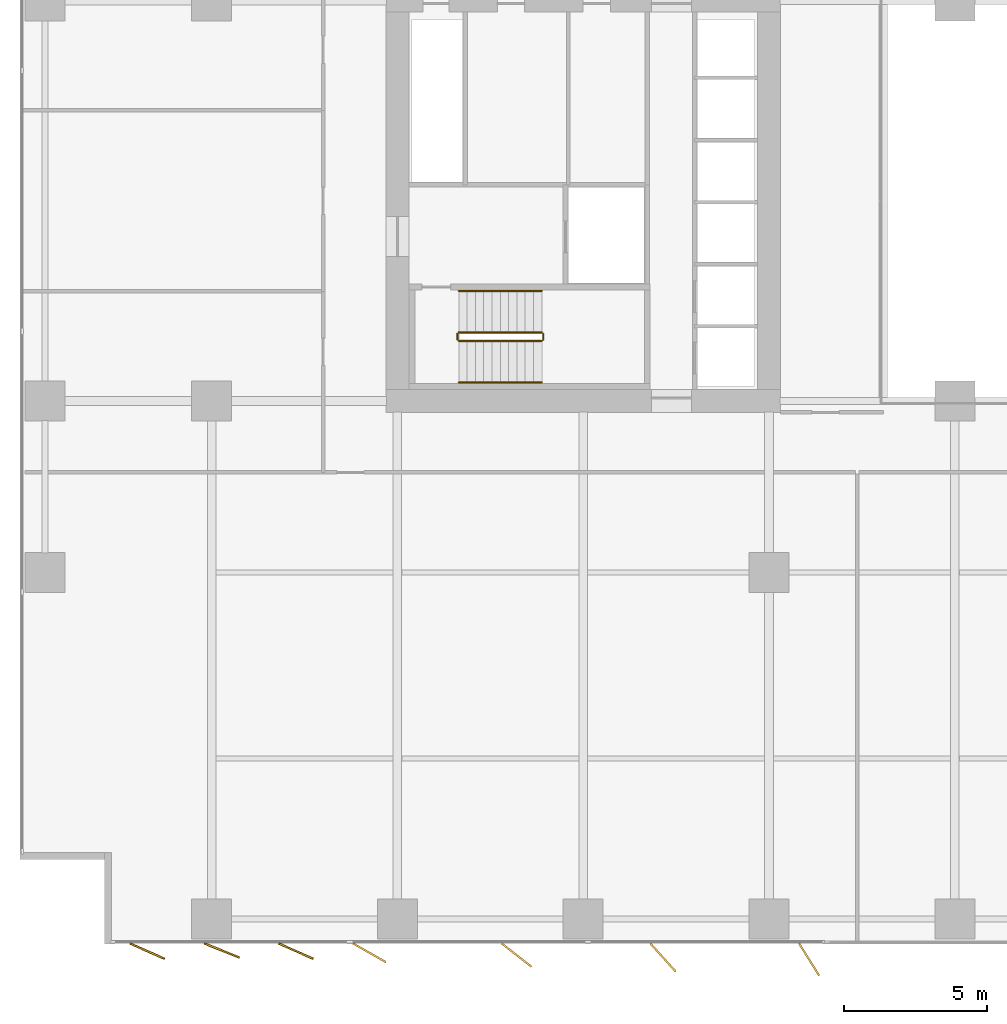
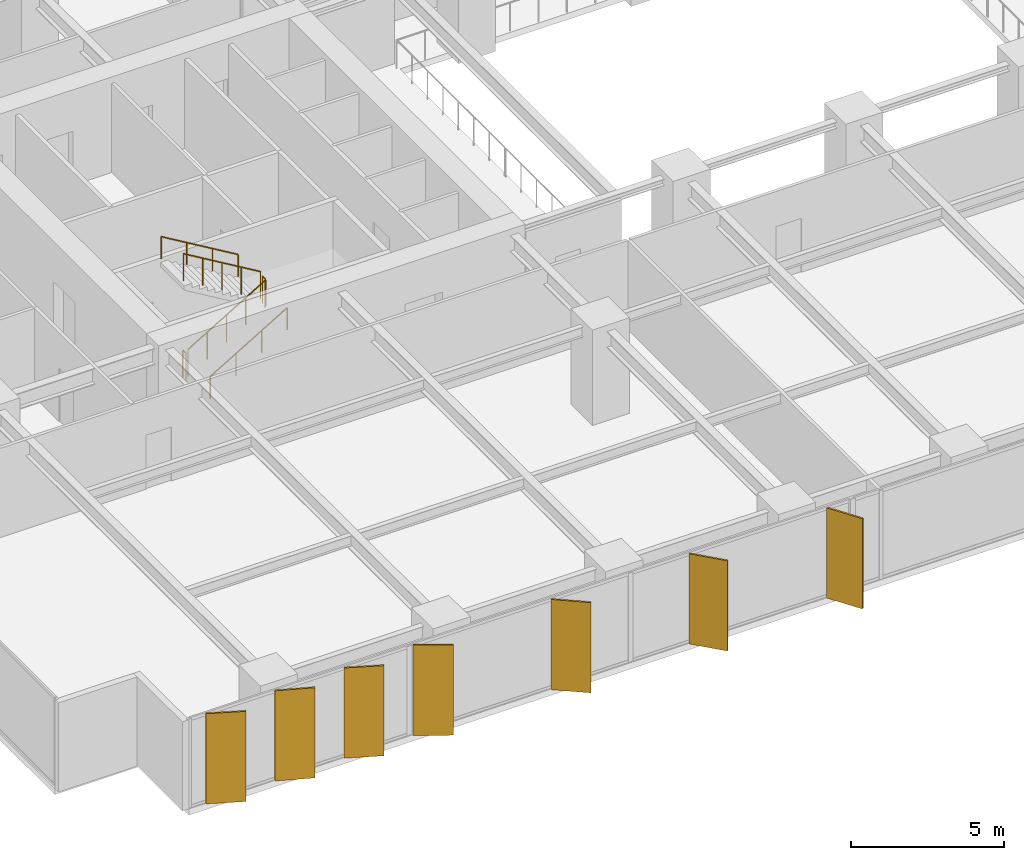
# One storey, part 17 of 20: 7 shading devices, 6 railings.
"""IFC4 building model written with IfcOpenShell, lengths in metres."""

import ifcopenshell
import ifcopenshell.guid

model = None  # the IFC model being written
_history = None  # IfcOwnerHistory: only IFC2X3 demands one
_inside = {}  # id of a spatial element -> (the spatial element, [elements in it])
_under = {}  # id of a project, library or spatial element -> (it, [spatial elements below it])
_declared = {}  # id of a project -> (the project, [libraries it declares])
_typed = {}  # id of a type object -> (the type object, [elements of that type])
_made_of = {}  # id of a material, layer set ... -> (it, [elements and type objects made of it])


def new_model(schema):
    """Start an empty IFC model of exactly this schema.

    Asked for "IFC4X3", IfcOpenShell would pick the latest addendum, in which some entities
    have other attributes; the version numbers below select the first issue.
    IFC2X3 requires an IfcOwnerHistory on every rooted entity: one is made here for all.
    """
    global model, _history
    if schema == "IFC4X3":
        model = ifcopenshell.file(schema_version=(4, 3, 0, 0))
    else:
        model = ifcopenshell.file(schema=schema)
    _inside.clear()
    _under.clear()
    _declared.clear()
    _typed.clear()
    _made_of.clear()
    _history = None
    if model.schema == "IFC2X3":
        org = make("IfcOrganization", Name="unknown")
        user = make(
            "IfcPersonAndOrganization",
            ThePerson=make("IfcPerson", FamilyName="unknown"),
            TheOrganization=org,
        )
        app = make(
            "IfcApplication",
            ApplicationDeveloper=org,
            Version="unknown",
            ApplicationFullName="unknown",
            ApplicationIdentifier="unknown",
        )
        _history = make(
            "IfcOwnerHistory",
            OwningUser=user,
            OwningApplication=app,
            ChangeAction="ADDED",
            CreationDate=0,
        )
    return model


def make(cls, **values):
    """One entity of the class cls with the attributes given. An attribute that is None is left unset."""
    return model.create_entity(
        cls, **{name: value for name, value in values.items() if value is not None}
    )


def rooted(cls, **values):
    """An entity with a GlobalId (a new one), such as an element, a storey or a relation."""
    return make(cls, GlobalId=ifcopenshell.guid.new(), OwnerHistory=_history, **values)


def si_unit(unit_type, name, prefix=None):
    """IfcSIUnit, for example si_unit("LENGTHUNIT", "METRE", prefix="MILLI")."""
    return make("IfcSIUnit", UnitType=unit_type, Prefix=prefix, Name=name)


def assignment(units):
    """IfcUnitAssignment: the units of a project."""
    return None if units is None else make("IfcUnitAssignment", Units=units)


def point(xyz):
    """IfcCartesianPoint."""
    return None if xyz is None else make("IfcCartesianPoint", Coordinates=xyz)


def direction(xyz):
    """IfcDirection."""
    return None if xyz is None else make("IfcDirection", DirectionRatios=xyz)


def frame(location, z_axis=None, x_axis=None):
    """IfcAxis2Placement3D, a coordinate frame: its origin and axes. An axis left out is left unset."""
    return make(
        "IfcAxis2Placement3D",
        Location=point(location),
        Axis=direction(z_axis),
        RefDirection=direction(x_axis),
    )


def frame_2d(location, x_axis=None):
    """IfcAxis2Placement2D, a coordinate frame in the plane: its origin and x axis."""
    return make(
        "IfcAxis2Placement2D", Location=point(location), RefDirection=direction(x_axis)
    )


def origin():
    """The frame at (0, 0, 0) with its axes left unset."""
    return frame((0.0, 0.0, 0.0))


def origin_2d():
    """The frame at (0, 0) in the plane with its x axis left unset."""
    return frame_2d((0.0, 0.0))


def place(relative_to, where):
    """IfcLocalPlacement: puts the frame where relative to a parent placement (None: the world)."""
    return make(
        "IfcLocalPlacement", PlacementRelTo=relative_to, RelativePlacement=where
    )


def context(
    kind, dimensions, precision=None, world=None, true_north=None, identifier=None
):
    """IfcGeometricRepresentationContext, for example the 3D "Model" context."""
    return make(
        "IfcGeometricRepresentationContext",
        ContextIdentifier=identifier,
        ContextType=kind,
        CoordinateSpaceDimension=dimensions,
        Precision=precision,
        WorldCoordinateSystem=world,
        TrueNorth=true_north,
    )


def subcontext(parent, identifier, kind, view, scale=None):
    """IfcGeometricRepresentationSubContext, for example "Body" below "Model"."""
    return make(
        "IfcGeometricRepresentationSubContext",
        ContextIdentifier=identifier,
        ContextType=kind,
        ParentContext=parent,
        TargetScale=scale,
        TargetView=view,
    )


def project(units=None, contexts=None):
    """IfcProject with its units and contexts."""
    return rooted(
        "IfcProject",
        Name="project",
        RepresentationContexts=contexts,
        UnitsInContext=assignment(units),
    )


def spatial(cls, under=None, at=None, **own):
    """A site, building, storey or space (cls), placed at a placement, below another one or the project."""
    s = rooted(cls, ObjectPlacement=at, **own)
    if under is not None:
        _under.setdefault(under.id(), (under, []))[1].append(s)
    return s


def profile(cls, at=None, kind="AREA", **sizes):
    """A parametric profile (cls). Its sizes go by their IFC names, for example OverallWidth=200.0."""
    return make(cls, ProfileType=kind, Position=at, **sizes)


def rectangle(**sizes):
    """IfcRectangleProfileDef."""
    return profile("IfcRectangleProfileDef", **sizes)


def circle(**sizes):
    """IfcCircleProfileDef."""
    return profile("IfcCircleProfileDef", **sizes)


def extrude(swept, where, along, depth):
    """IfcExtrudedAreaSolid: the profile swept, set in the frame where, extruded along a direction by depth."""
    return make(
        "IfcExtrudedAreaSolid",
        SweptArea=swept,
        Position=where,
        ExtrudedDirection=direction(along),
        Depth=depth,
    )


def shape(context_of_items, identifier, shape_type, items):
    """IfcShapeRepresentation: the items that make up one representation, for example the "Body"."""
    return make(
        "IfcShapeRepresentation",
        ContextOfItems=context_of_items,
        RepresentationIdentifier=identifier,
        RepresentationType=shape_type,
        Items=items,
    )


def material(Name=None, Category=None):
    """IfcMaterial."""
    return make("IfcMaterial", Name=Name, Category=Category)


def layer(
    of_material, thickness, ventilated=None, Name=None, Category=None, Priority=None
):
    """IfcMaterialLayer: one layer of a wall or slab, of a material (None: an air gap)."""
    return make(
        "IfcMaterialLayer",
        Material=of_material,
        LayerThickness=thickness,
        IsVentilated=ventilated,
        Name=Name,
        Category=Category,
        Priority=Priority,
    )


def layer_set(layers, Name=None):
    """IfcMaterialLayerSet."""
    return make("IfcMaterialLayerSet", MaterialLayers=layers, LayerSetName=Name)


def made_of(thing, what):
    """Note that an element or type object is made of a material, layer set ...; save() writes the relation."""
    if what is not None:
        _made_of.setdefault(what.id(), (what, []))[1].append(thing)
    return thing


def type_object(cls, material=None, **own):
    """A type object (cls), such as IfcWallType, which elements share."""
    return made_of(rooted(cls, **own), material)


def element(
    cls,
    number,
    at=None,
    inside=None,
    cuts=None,
    type_object=None,
    material=None,
    context=None,
    identifier="Body",
    shape_type=None,
    held_by="IfcProductDefinitionShape",
    body=None,
    shapes=None,
    **own,
):
    """One element of the class cls, such as IfcWall. Its Tag is "e" and its number.

    at: its placement. inside: the storey or other place that contains it. cuts: it is an
    opening in that element (IfcRelVoidsElement). A single representation is given by context,
    identifier, shape_type and body (its items); several are given by shapes. held_by: the class
    of the entity that holds the representations. save() writes the other relations.
    """
    e = rooted(cls, Tag="e%d" % number, ObjectPlacement=at, **own)
    if body is not None:
        shapes = [shape(context, identifier, shape_type, body)]
    if shapes is not None:
        e.Representation = make(held_by, Representations=shapes)
    if inside is not None:
        _inside.setdefault(inside.id(), (inside, []))[1].append(e)
    if cuts is not None:
        rooted(
            "IfcRelVoidsElement", RelatingBuildingElement=cuts, RelatedOpeningElement=e
        )
    if type_object is not None:
        _typed.setdefault(type_object.id(), (type_object, []))[1].append(e)
    return made_of(e, material)


def aggregate(whole, parts):
    """IfcRelAggregates: a whole, such as a stair, and the parts it consists of."""
    return rooted("IfcRelAggregates", RelatingObject=whole, RelatedObjects=parts)


def save(model, path):
    """Write the relations noted so far, then the file.

    IfcRelAggregates (storeys below a building ...), IfcRelContainedInSpatialStructure (elements
    in a storey), IfcRelDefinesByType, IfcRelAssociatesMaterial and IfcRelDeclares: one each for
    every whole, place, type object, material and project.
    """
    for whole, parts in _under.values():
        aggregate(whole, parts)
    for where, things in _inside.values():
        rooted(
            "IfcRelContainedInSpatialStructure",
            RelatedElements=things,
            RelatingStructure=where,
        )
    for kind, things in _typed.values():
        rooted("IfcRelDefinesByType", RelatedObjects=things, RelatingType=kind)
    for what, things in _made_of.values():
        rooted("IfcRelAssociatesMaterial", RelatedObjects=things, RelatingMaterial=what)
    for by, libraries in _declared.values():
        rooted("IfcRelDeclares", RelatingContext=by, RelatedDefinitions=libraries)
    model.write(path)


model = new_model("IFC4")

# Units and contexts
model_context = context("Model", 3, precision=1e-05, world=origin(), true_north=direction((0.0, 1.0)))
body_context = subcontext(model_context, "Body", "Model", "MODEL_VIEW")
ifc_project = project(units=[si_unit("LENGTHUNIT", "METRE"), si_unit("AREAUNIT", "SQUARE_METRE"), si_unit("VOLUMEUNIT", "CUBIC_METRE"), si_unit("PLANEANGLEUNIT", "RADIAN"), si_unit("MASSUNIT", "GRAM", prefix="KILO")], contexts=[model_context])

# Site, building, storey
site_placement = place(None, origin())
site = spatial("IfcSite", under=ifc_project, at=site_placement, CompositionType="ELEMENT")
building_placement = place(site_placement, origin())
building = spatial("IfcBuilding", under=site, at=building_placement, Name="Putna Gate Headquarters", CompositionType="ELEMENT")
storey_placement = place(building_placement, frame((0.0, 0.0, 58.199951171875)))
storey = spatial("IfcBuildingStorey", under=building, at=storey_placement, Name="L13", CompositionType="ELEMENT", Elevation=58.199951171875)

# Railings
ifc_material_1 = material(Name="Powder-coated steel stair guardrail", Category="steel")
railing_type_1 = type_object("IfcRailingType", Name="RAIL-STAIR-GUARD-1100", PredefinedType="GUARDRAIL", material=ifc_material_1)
railing_1_placement = place(storey_placement, frame((15.14990234375, 21.10009765625, 0.1728515625)))
element("IfcRailing", 1, at=railing_1_placement, inside=storey, type_object=railing_type_1, Name="L13 ST1 stair guard 1", PredefinedType="GUARDRAIL", context=body_context, shape_type="SweptSolid", body=[
    extrude(circle(Radius=0.02392578125, at=origin_2d()), frame((0.0, 0.0, 1.076171875), z_axis=(0.859160404282, 0.0, 0.51170636083), x_axis=(0.0, 1.0, 0.0)), (0.0, 0.0, 1.0), 3.37548828125),
    extrude(circle(Radius=0.02099609375, at=origin_2d()), origin(), (0.0, 0.0, 1.0), 1.052001953125),
    extrude(circle(Radius=0.02099609375, at=origin_2d()), frame((0.72509765625, 0.0, 0.431884765625)), (0.0, 0.0, 1.0), 1.052001953125),
    extrude(circle(Radius=0.02099609375, at=origin_2d()), frame((1.4501953125, 0.0, 0.86376953125)), (0.0, 0.0, 1.0), 1.052001953125),
    extrude(circle(Radius=0.02099609375, at=origin_2d()), frame((2.175048828125, 0.0, 1.29541015625)), (0.0, 0.0, 1.0), 1.052001953125),
    extrude(circle(Radius=0.02099609375, at=origin_2d()), frame((2.900146484375, 0.0, 1.727294921875)), (0.0, 0.0, 1.0), 1.052001953125),
])
railing_2_placement = place(storey_placement, frame((18.10009765625, 21.14990234375, 1.900146484375)))
element("IfcRailing", 2, at=railing_2_placement, inside=storey, type_object=railing_type_1, Name="L13 ST1 stair guard 2", PredefinedType="GUARDRAIL", context=body_context, shape_type="SweptSolid", body=[
    extrude(circle(Radius=0.02392578125, at=origin_2d()), frame((0.0, 0.0, 1.076171875), z_axis=(0.0, 1.0, 0.0), x_axis=(-1.0, 0.0, 0.0)), (0.0, 0.0, 1.0), 0.2001953125),
    extrude(circle(Radius=0.02099609375, at=origin_2d()), origin(), (0.0, 0.0, 1.0), 1.052001953125),
    extrude(circle(Radius=0.02099609375, at=origin_2d()), frame((0.0, 0.2001953125, 0.0)), (0.0, 0.0, 1.0), 1.052001953125),
])
railing_3_placement = place(storey_placement, frame((18.050048828125, 21.39990234375, 2.07275390625)))
element("IfcRailing", 3, at=railing_3_placement, inside=storey, type_object=railing_type_1, Name="L13 ST1 stair guard 3", PredefinedType="GUARDRAIL", context=body_context, shape_type="SweptSolid", body=[
    extrude(circle(Radius=0.02392578125, at=origin_2d()), frame((0.0, 0.0, 1.076171875), z_axis=(-0.859160404282, 0.0, 0.51170636083), x_axis=(0.0, -1.0, 0.0)), (0.0, 0.0, 1.0), 3.37548828125),
    extrude(circle(Radius=0.02099609375, at=origin_2d()), origin(), (0.0, 0.0, 1.0), 1.052001953125),
    extrude(circle(Radius=0.02099609375, at=origin_2d()), frame((-0.72509765625, 0.0, 0.431884765625)), (0.0, 0.0, 1.0), 1.052001953125),
    extrude(circle(Radius=0.02099609375, at=origin_2d()), frame((-1.4501953125, 0.0, 0.86376953125)), (0.0, 0.0, 1.0), 1.052001953125),
    extrude(circle(Radius=0.02099609375, at=origin_2d()), frame((-2.175048828125, 0.0, 1.29541015625)), (0.0, 0.0, 1.0), 1.052001953125),
    extrude(circle(Radius=0.02099609375, at=origin_2d()), frame((-2.900146484375, 0.0, 1.727294921875)), (0.0, 0.0, 1.0), 1.052001953125),
])
railing_4_placement = place(storey_placement, frame((15.10009765625, 21.14990234375, 0.0)))
element("IfcRailing", 4, at=railing_4_placement, inside=storey, type_object=railing_type_1, Name="L13 ST1 stair guard 4", PredefinedType="GUARDRAIL", context=body_context, shape_type="SweptSolid", body=[
    extrude(circle(Radius=0.02392578125, at=origin_2d()), frame((0.0, 0.0, 1.076171875), z_axis=(0.0, 1.0, 0.0), x_axis=(-1.0, 0.0, 0.0)), (0.0, 0.0, 1.0), 0.2001953125),
    extrude(circle(Radius=0.02099609375, at=origin_2d()), origin(), (0.0, 0.0, 1.0), 1.052001953125),
    extrude(circle(Radius=0.02099609375, at=origin_2d()), frame((0.0, 0.2001953125, 0.0)), (0.0, 0.0, 1.0), 1.052001953125),
])
ifc_material_2 = material(Name="Brushed stainless steel handrail", Category="steel")
railing_type_2 = type_object("IfcRailingType", Name="RAIL-STAIR-HAND-900", PredefinedType="HANDRAIL", material=ifc_material_2)
railing_5_placement = place(storey_placement, frame((15.14990234375, 19.64990234375, 0.1728515625)))
element("IfcRailing", 5, at=railing_5_placement, inside=storey, type_object=railing_type_2, Name="L13 ST1 stair handrail 1", PredefinedType="HANDRAIL", context=body_context, shape_type="SweptSolid", body=[
    extrude(circle(Radius=0.02392578125, at=origin_2d()), frame((0.0, 0.0, 0.8759765625), z_axis=(0.859160404282, 0.0, 0.51170636083), x_axis=(0.0, 1.0, 0.0)), (0.0, 0.0, 1.0), 3.37548828125),
    extrude(circle(Radius=0.02099609375, at=origin_2d()), origin(), (0.0, 0.0, 1.0), 0.851806640625),
    extrude(circle(Radius=0.02099609375, at=origin_2d()), frame((0.966796875, 0.0, 0.57568359375)), (0.0, 0.0, 1.0), 0.851806640625),
    extrude(circle(Radius=0.02099609375, at=origin_2d()), frame((1.933349609375, 0.0, 1.151611328125)), (0.0, 0.0, 1.0), 0.851806640625),
    extrude(circle(Radius=0.02099609375, at=origin_2d()), frame((2.900146484375, 0.0, 1.727294921875)), (0.0, 0.0, 1.0), 0.851806640625),
])
railing_6_placement = place(storey_placement, frame((18.050048828125, 22.85009765625, 2.07275390625)))
element("IfcRailing", 6, at=railing_6_placement, inside=storey, type_object=railing_type_2, Name="L13 ST1 stair handrail 2", PredefinedType="HANDRAIL", context=body_context, shape_type="SweptSolid", body=[
    extrude(circle(Radius=0.02392578125, at=origin_2d()), frame((0.0, 0.0, 0.8759765625), z_axis=(-0.859160404282, 0.0, 0.51170636083), x_axis=(0.0, -1.0, 0.0)), (0.0, 0.0, 1.0), 3.37548828125),
    extrude(circle(Radius=0.02099609375, at=origin_2d()), origin(), (0.0, 0.0, 1.0), 0.851806640625),
    extrude(circle(Radius=0.02099609375, at=origin_2d()), frame((-0.966796875, 0.0, 0.57568359375)), (0.0, 0.0, 1.0), 0.851806640625),
    extrude(circle(Radius=0.02099609375, at=origin_2d()), frame((-1.933349609375, 0.0, 1.151611328125)), (0.0, 0.0, 1.0), 0.851806640625),
    extrude(circle(Radius=0.02099609375, at=origin_2d()), frame((-2.900146484375, 0.0, 1.727294921875)), (0.0, 0.0, 1.0), 0.851806640625),
])

# Shading devices
ifc_material_3 = material(Name="Anodised architectural bronze aluminium fin", Category="aluminium")
ifc_layer = layer(ifc_material_3, 0.06494140625)
ifc_layer_set = layer_set([ifc_layer], Name="Anodised architectural bronze aluminium fin")
shading_device_type = type_object("IfcShadingDeviceType", Name="SHADE-BRONZE-FIN-1320", PredefinedType="USERDEFINED", material=ifc_layer_set)
for number, where, z_axis, x_axis, name in (
    (7, (4.2529296875, -0.2431640625, -0.02001953125), (0.0, 0.0, 1.0), (0.913687379856, -0.40641773078, 0.0), "L13 Bronze Vertical Shading Fin S1"),
    (8, (6.86181640625, -0.22216796875, -0.02001953125), (0.0, 0.0, 1.0), (0.927183854567, -0.374606593416, 0.0), "L13 Bronze Vertical Shading Fin S2"),
    (9, (9.452880859375, -0.2431640625, -0.02001953125), (0.0, 0.0, 1.0), (0.913687379856, -0.40641773078, 0.0), "L13 Bronze Vertical Shading Fin S3"),
    (10, (12.023681640625, -0.30126953125, -0.02001953125), (0.0, 0.0, 1.0), (0.869322458298, -0.494245347472, 0.0), "L13 Bronze Vertical Shading Fin S4"),
    (11, (17.169677734375, -0.3818359375, -0.02001953125), (0.0, 0.0, 1.0), (0.787473187632, -0.616348909921, 0.0), "L13 Bronze Vertical Shading Fin S5"),
    (12, (22.29150390625, -0.465576171875, -0.02001953125), (0.0, 0.0, 1.0), (0.669130606359, -0.743144825477, 0.0), "L13 Bronze Vertical Shading Fin S6"),
    (13, (27.400146484375, -0.534423828125, -0.02001953125), (0.0, 0.0, 1.0), (0.530659123936, -0.847585331506, 0.0), "L13 Bronze Vertical Shading Fin S7"),
):
    element("IfcShadingDevice", number, at=place(storey_placement, frame(where, z_axis=z_axis, x_axis=x_axis)), inside=storey, type_object=shading_device_type, Name=name, ObjectType="FIN", PredefinedType="USERDEFINED", context=body_context, shape_type="SweptSolid", body=[
        extrude(rectangle(XDim=1.320068359375, YDim=0.06494140625, at=origin_2d()), origin(), (0.0, 0.0, 1.0), 3.590087890625),
    ])

save(model, "model.ifc")
